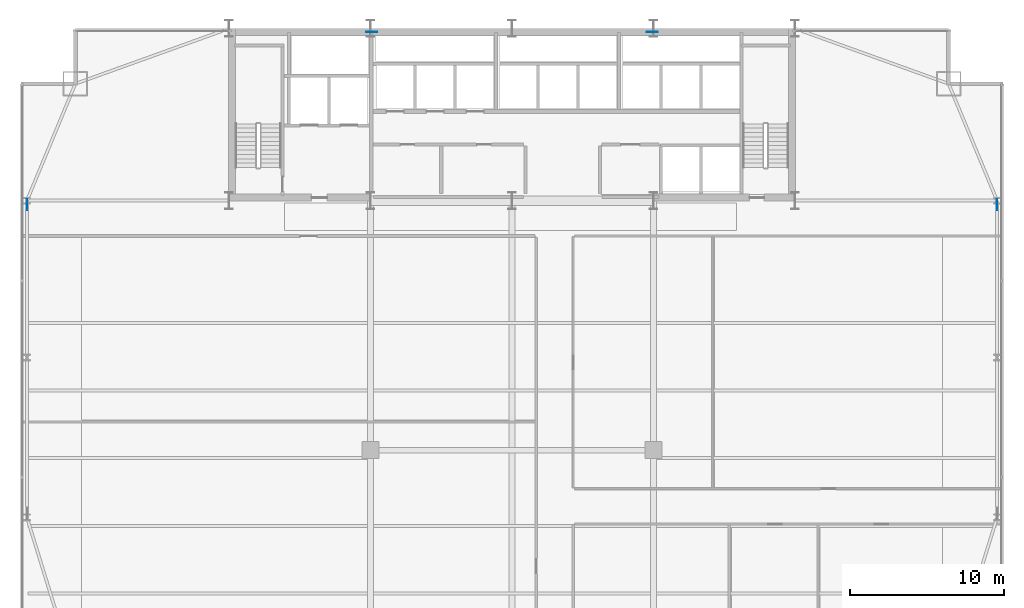
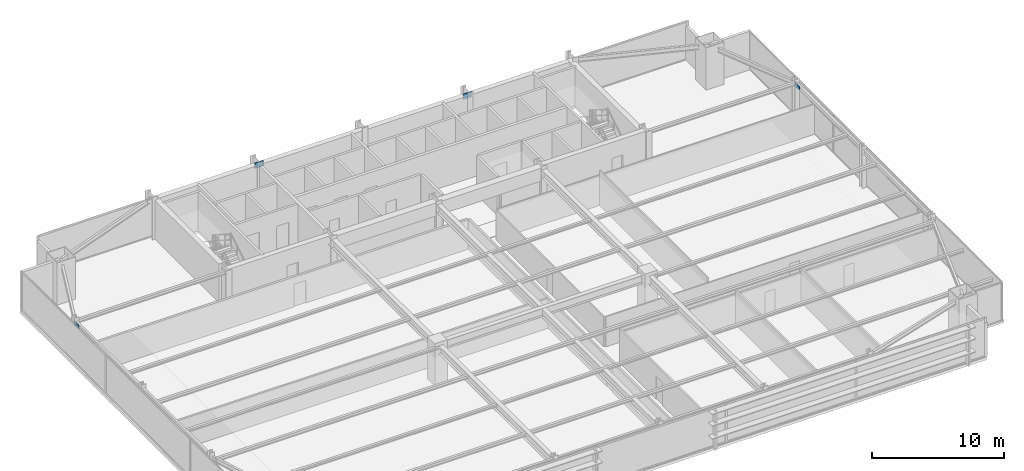
# One storey, part 27 of 32: 4 plates.
"""IFC4 building model written with IfcOpenShell, lengths in metres."""

from ifc_helpers import new_model, si_unit, direction, frame, origin, origin_2d, place, context, subcontext, project, spatial, rectangle, extrude, source, transform, mapped, material, layer, layer_set, type_object, type_shapes, element, save


model = new_model("IFC4")

# Units and contexts
model_context = context("Model", 3, precision=1e-05, world=origin(), true_north=direction((0.0, 1.0)))
body_context = subcontext(model_context, "Body", "Model", "MODEL_VIEW")
ifc_project = project(units=[si_unit("LENGTHUNIT", "METRE"), si_unit("AREAUNIT", "SQUARE_METRE"), si_unit("VOLUMEUNIT", "CUBIC_METRE"), si_unit("PLANEANGLEUNIT", "RADIAN"), si_unit("MASSUNIT", "GRAM", prefix="KILO")], contexts=[model_context])

# Site, building, storey
site_placement = place(None, origin())
site = spatial("IfcSite", under=ifc_project, at=site_placement, CompositionType="ELEMENT")
building_placement = place(site_placement, origin())
building = spatial("IfcBuilding", under=site, at=building_placement, Name="Varnel Quay Broadcast Tower", CompositionType="ELEMENT")
storey_placement = place(building_placement, frame((0.0, 0.0, 78.300048828125)))
storey = spatial("IfcBuildingStorey", under=building, at=storey_placement, Name="L18", CompositionType="ELEMENT", Elevation=78.300048828125)

# Plates
ifc_material = material(Name="Structural Steel CSA G40.21 350WT", Category="steel")
ifc_layer_1 = layer(ifc_material, 0.031982421875, Name="Structural Steel CSA G40.21 350WT")
ifc_layer_set_1 = layer_set([ifc_layer_1], Name="Structural Steel CSA G40.21 350WT")
plate_type_1 = type_object("IfcPlateType", Name="Plate_EndCap", PredefinedType="USERDEFINED", material=ifc_layer_set_1)
shared_shape_1 = source(origin(), body_context, "Body", "SweptSolid", [
    extrude(rectangle(XDim=0.719970703125, YDim=0.031982421875, at=origin_2d()), origin(), (0.0, 0.0, 1.0), 0.3798828125),
])
type_shapes(plate_type_1, [shared_shape_1])
for number, where, z_axis, x_axis, name in (
    (1, (2.449951171875, 35.3466796875, 3.086669921875), (0.0, 0.0, 1.0), (0.0, 1.0, 0.0), "Zone 1 Mega-Brace W-FT3 Diag A End Connection Plate P1"),
    (2, (65.550048828125, 35.3466796875, 3.086669921875), (0.0, 0.0, 1.0), (0.0, 1.0, 0.0), "Zone 1 Mega-Brace E-FT3 Diag A End Connection Plate P1"),
):
    element("IfcPlate", number, at=place(storey_placement, frame(where, z_axis=z_axis, x_axis=x_axis)), inside=storey, type_object=plate_type_1, Name=name, ObjectType="CAP_PLATE", PredefinedType="USERDEFINED", context=body_context, shape_type="MappedRepresentation", body=[
        mapped(shared_shape_1, transform((0.0, 0.0, 0.0), x_axis=(1.0, 0.0, 0.0), y_axis=(0.0, 1.0, 0.0), z_axis=(0.0, 0.0, 1.0), scale=1.0)),
    ])
ifc_layer_2 = layer(ifc_material, 0.0400390625, Name="Structural Steel CSA G40.21 350WT")
ifc_layer_set_2 = layer_set([ifc_layer_2], Name="Structural Steel CSA G40.21 350WT")
plate_type_2 = type_object("IfcPlateType", Name="Plate_EmbedPlate", PredefinedType="USERDEFINED", material=ifc_layer_set_2)
shared_shape_2 = source(origin(), body_context, "Body", "SweptSolid", [
    extrude(rectangle(XDim=0.739990234375, YDim=0.0400390625, at=origin_2d()), origin(), (0.0, 0.0, 1.0), 0.50390625),
])
type_shapes(plate_type_2, [shared_shape_2])
for number, where, z_axis, x_axis, name in (
    (3, (43.125, 46.580078125, 3.214111328125), (0.0, 0.0, 1.0), (1.0, 0.0, 0.0), "Zone 1 Mega-Brace N-CT3 Diag A Wall Cast-In Embed Plate P1"),
    (4, (24.875, 46.580078125, 3.214111328125), (0.0, 0.0, 1.0), (1.0, 0.0, 0.0), "Zone 1 Mega-Brace N-CT3 Diag B2 Wall Cast-In Embed Plate P1"),
):
    element("IfcPlate", number, at=place(storey_placement, frame(where, z_axis=z_axis, x_axis=x_axis)), inside=storey, type_object=plate_type_2, Name=name, ObjectType="EMBED_PLATE", PredefinedType="USERDEFINED", context=body_context, shape_type="MappedRepresentation", body=[
        mapped(shared_shape_2, transform((0.0, 0.0, 0.0), x_axis=(1.0, 0.0, 0.0), y_axis=(0.0, 1.0, 0.0), z_axis=(0.0, 0.0, 1.0), scale=1.0)),
    ])

save(model, "model.ifc")
